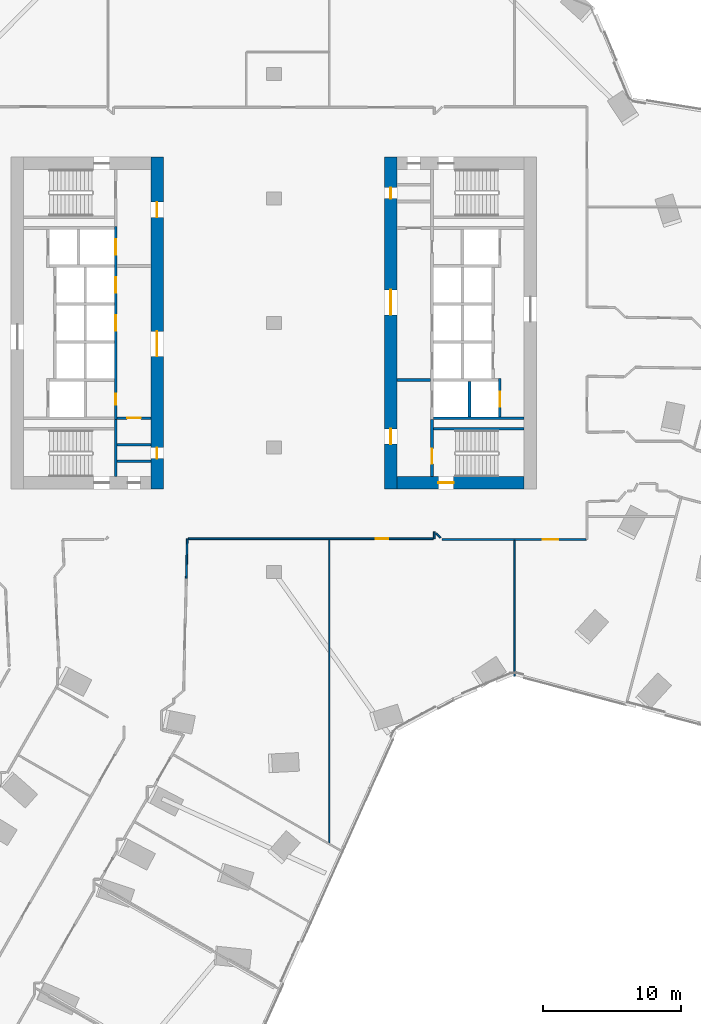
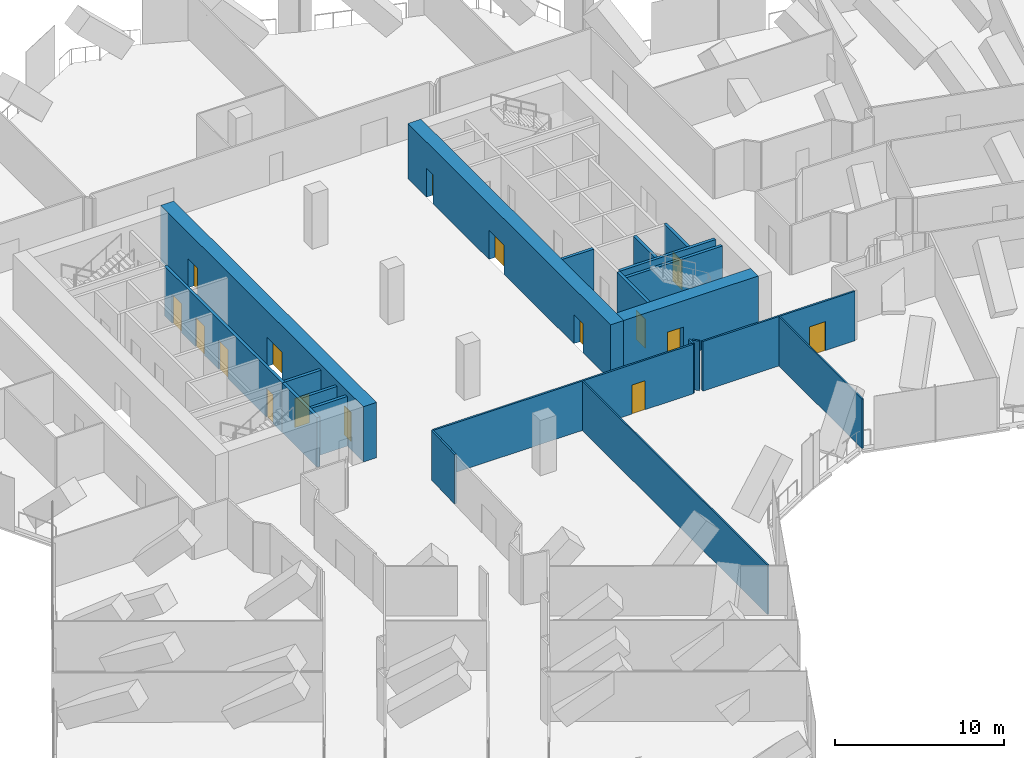
# One storey, part 29 of 37: 21 walls, 16 doors, 16 openings.
"""IFC4 building model written with IfcOpenShell, lengths in metres."""

import ifcopenshell
import ifcopenshell.guid

model = None  # the IFC model being written
_history = None  # IfcOwnerHistory: only IFC2X3 demands one
_inside = {}  # id of a spatial element -> (the spatial element, [elements in it])
_under = {}  # id of a project, library or spatial element -> (it, [spatial elements below it])
_declared = {}  # id of a project -> (the project, [libraries it declares])
_typed = {}  # id of a type object -> (the type object, [elements of that type])
_made_of = {}  # id of a material, layer set ... -> (it, [elements and type objects made of it])


def new_model(schema):
    """Start an empty IFC model of exactly this schema.

    Asked for "IFC4X3", IfcOpenShell would pick the latest addendum, in which some entities
    have other attributes; the version numbers below select the first issue.
    IFC2X3 requires an IfcOwnerHistory on every rooted entity: one is made here for all.
    """
    global model, _history
    if schema == "IFC4X3":
        model = ifcopenshell.file(schema_version=(4, 3, 0, 0))
    else:
        model = ifcopenshell.file(schema=schema)
    _inside.clear()
    _under.clear()
    _declared.clear()
    _typed.clear()
    _made_of.clear()
    _history = None
    if model.schema == "IFC2X3":
        org = make("IfcOrganization", Name="unknown")
        user = make(
            "IfcPersonAndOrganization",
            ThePerson=make("IfcPerson", FamilyName="unknown"),
            TheOrganization=org,
        )
        app = make(
            "IfcApplication",
            ApplicationDeveloper=org,
            Version="unknown",
            ApplicationFullName="unknown",
            ApplicationIdentifier="unknown",
        )
        _history = make(
            "IfcOwnerHistory",
            OwningUser=user,
            OwningApplication=app,
            ChangeAction="ADDED",
            CreationDate=0,
        )
    return model


def make(cls, **values):
    """One entity of the class cls with the attributes given. An attribute that is None is left unset."""
    return model.create_entity(
        cls, **{name: value for name, value in values.items() if value is not None}
    )


def rooted(cls, **values):
    """An entity with a GlobalId (a new one), such as an element, a storey or a relation."""
    return make(cls, GlobalId=ifcopenshell.guid.new(), OwnerHistory=_history, **values)


def si_unit(unit_type, name, prefix=None):
    """IfcSIUnit, for example si_unit("LENGTHUNIT", "METRE", prefix="MILLI")."""
    return make("IfcSIUnit", UnitType=unit_type, Prefix=prefix, Name=name)


def assignment(units):
    """IfcUnitAssignment: the units of a project."""
    return None if units is None else make("IfcUnitAssignment", Units=units)


def point(xyz):
    """IfcCartesianPoint."""
    return None if xyz is None else make("IfcCartesianPoint", Coordinates=xyz)


def direction(xyz):
    """IfcDirection."""
    return None if xyz is None else make("IfcDirection", DirectionRatios=xyz)


def frame(location, z_axis=None, x_axis=None):
    """IfcAxis2Placement3D, a coordinate frame: its origin and axes. An axis left out is left unset."""
    return make(
        "IfcAxis2Placement3D",
        Location=point(location),
        Axis=direction(z_axis),
        RefDirection=direction(x_axis),
    )


def frame_2d(location, x_axis=None):
    """IfcAxis2Placement2D, a coordinate frame in the plane: its origin and x axis."""
    return make(
        "IfcAxis2Placement2D", Location=point(location), RefDirection=direction(x_axis)
    )


def origin():
    """The frame at (0, 0, 0) with its axes left unset."""
    return frame((0.0, 0.0, 0.0))


def place(relative_to, where):
    """IfcLocalPlacement: puts the frame where relative to a parent placement (None: the world)."""
    return make(
        "IfcLocalPlacement", PlacementRelTo=relative_to, RelativePlacement=where
    )


def context(
    kind, dimensions, precision=None, world=None, true_north=None, identifier=None
):
    """IfcGeometricRepresentationContext, for example the 3D "Model" context."""
    return make(
        "IfcGeometricRepresentationContext",
        ContextIdentifier=identifier,
        ContextType=kind,
        CoordinateSpaceDimension=dimensions,
        Precision=precision,
        WorldCoordinateSystem=world,
        TrueNorth=true_north,
    )


def subcontext(parent, identifier, kind, view, scale=None):
    """IfcGeometricRepresentationSubContext, for example "Body" below "Model"."""
    return make(
        "IfcGeometricRepresentationSubContext",
        ContextIdentifier=identifier,
        ContextType=kind,
        ParentContext=parent,
        TargetScale=scale,
        TargetView=view,
    )


def project(units=None, contexts=None):
    """IfcProject with its units and contexts."""
    return rooted(
        "IfcProject",
        Name="project",
        RepresentationContexts=contexts,
        UnitsInContext=assignment(units),
    )


def spatial(cls, under=None, at=None, **own):
    """A site, building, storey or space (cls), placed at a placement, below another one or the project."""
    s = rooted(cls, ObjectPlacement=at, **own)
    if under is not None:
        _under.setdefault(under.id(), (under, []))[1].append(s)
    return s


def profile(cls, at=None, kind="AREA", **sizes):
    """A parametric profile (cls). Its sizes go by their IFC names, for example OverallWidth=200.0."""
    return make(cls, ProfileType=kind, Position=at, **sizes)


def rectangle(**sizes):
    """IfcRectangleProfileDef."""
    return profile("IfcRectangleProfileDef", **sizes)


def extrude(swept, where, along, depth):
    """IfcExtrudedAreaSolid: the profile swept, set in the frame where, extruded along a direction by depth."""
    return make(
        "IfcExtrudedAreaSolid",
        SweptArea=swept,
        Position=where,
        ExtrudedDirection=direction(along),
        Depth=depth,
    )


def shape(context_of_items, identifier, shape_type, items):
    """IfcShapeRepresentation: the items that make up one representation, for example the "Body"."""
    return make(
        "IfcShapeRepresentation",
        ContextOfItems=context_of_items,
        RepresentationIdentifier=identifier,
        RepresentationType=shape_type,
        Items=items,
    )


def material(Name=None, Category=None):
    """IfcMaterial."""
    return make("IfcMaterial", Name=Name, Category=Category)


def layer(
    of_material, thickness, ventilated=None, Name=None, Category=None, Priority=None
):
    """IfcMaterialLayer: one layer of a wall or slab, of a material (None: an air gap)."""
    return make(
        "IfcMaterialLayer",
        Material=of_material,
        LayerThickness=thickness,
        IsVentilated=ventilated,
        Name=Name,
        Category=Category,
        Priority=Priority,
    )


def layer_set(layers, Name=None):
    """IfcMaterialLayerSet."""
    return make("IfcMaterialLayerSet", MaterialLayers=layers, LayerSetName=Name)


def made_of(thing, what):
    """Note that an element or type object is made of a material, layer set ...; save() writes the relation."""
    if what is not None:
        _made_of.setdefault(what.id(), (what, []))[1].append(thing)
    return thing


def type_object(cls, material=None, **own):
    """A type object (cls), such as IfcWallType, which elements share."""
    return made_of(rooted(cls, **own), material)


def element(
    cls,
    number,
    at=None,
    inside=None,
    cuts=None,
    type_object=None,
    material=None,
    context=None,
    identifier="Body",
    shape_type=None,
    held_by="IfcProductDefinitionShape",
    body=None,
    shapes=None,
    **own,
):
    """One element of the class cls, such as IfcWall. Its Tag is "e" and its number.

    at: its placement. inside: the storey or other place that contains it. cuts: it is an
    opening in that element (IfcRelVoidsElement). A single representation is given by context,
    identifier, shape_type and body (its items); several are given by shapes. held_by: the class
    of the entity that holds the representations. save() writes the other relations.
    """
    e = rooted(cls, Tag="e%d" % number, ObjectPlacement=at, **own)
    if body is not None:
        shapes = [shape(context, identifier, shape_type, body)]
    if shapes is not None:
        e.Representation = make(held_by, Representations=shapes)
    if inside is not None:
        _inside.setdefault(inside.id(), (inside, []))[1].append(e)
    if cuts is not None:
        rooted(
            "IfcRelVoidsElement", RelatingBuildingElement=cuts, RelatedOpeningElement=e
        )
    if type_object is not None:
        _typed.setdefault(type_object.id(), (type_object, []))[1].append(e)
    return made_of(e, material)


def fill(opening, filler):
    """IfcRelFillsElement: the door or window that sits in an opening."""
    return rooted(
        "IfcRelFillsElement",
        RelatingOpeningElement=opening,
        RelatedBuildingElement=filler,
    )


def aggregate(whole, parts):
    """IfcRelAggregates: a whole, such as a stair, and the parts it consists of."""
    return rooted("IfcRelAggregates", RelatingObject=whole, RelatedObjects=parts)


def save(model, path):
    """Write the relations noted so far, then the file.

    IfcRelAggregates (storeys below a building ...), IfcRelContainedInSpatialStructure (elements
    in a storey), IfcRelDefinesByType, IfcRelAssociatesMaterial and IfcRelDeclares: one each for
    every whole, place, type object, material and project.
    """
    for whole, parts in _under.values():
        aggregate(whole, parts)
    for where, things in _inside.values():
        rooted(
            "IfcRelContainedInSpatialStructure",
            RelatedElements=things,
            RelatingStructure=where,
        )
    for kind, things in _typed.values():
        rooted("IfcRelDefinesByType", RelatedObjects=things, RelatingType=kind)
    for what, things in _made_of.values():
        rooted("IfcRelAssociatesMaterial", RelatedObjects=things, RelatingMaterial=what)
    for by, libraries in _declared.values():
        rooted("IfcRelDeclares", RelatingContext=by, RelatedDefinitions=libraries)
    model.write(path)


model = new_model("IFC4")

# Units and contexts
model_context = context("Model", 3, precision=1e-05, world=origin(), true_north=direction((0.0, 1.0)))
body_context = subcontext(model_context, "Body", "Model", "MODEL_VIEW")
ifc_project = project(units=[si_unit("LENGTHUNIT", "METRE"), si_unit("AREAUNIT", "SQUARE_METRE"), si_unit("VOLUMEUNIT", "CUBIC_METRE"), si_unit("PLANEANGLEUNIT", "RADIAN"), si_unit("MASSUNIT", "GRAM", prefix="KILO")], contexts=[model_context])

# Site, building, storey
site_placement = place(None, origin())
site = spatial("IfcSite", under=ifc_project, at=site_placement, CompositionType="ELEMENT")
building_placement = place(site_placement, origin())
building = spatial("IfcBuilding", under=site, at=building_placement, Name="Orlundy Tower", CompositionType="ELEMENT")
storey_placement = place(building_placement, frame((0.0, 0.0, 119.699951171875)))
storey = spatial("IfcBuildingStorey", under=building, at=storey_placement, Name="L30", CompositionType="ELEMENT", Elevation=119.699951171875)

# Wall, openings, doors
ifc_material_1 = material(Name="Concrete C80/95", Category="concrete")
ifc_layer_1 = layer(ifc_material_1, 0.89990234375)
ifc_layer_set_1 = layer_set([ifc_layer_1], Name="CORE WALL 900 C80/95")
wall_type_1 = type_object("IfcWallType", Name="CORE WALL 900 C80/95", PredefinedType="SHEAR", material=ifc_layer_set_1)
wall_1_placement = place(storey_placement, frame((-8.449951171875, -12.0, 0.0), z_axis=(0.0, 0.0, 1.0), x_axis=(0.0, 1.0, 0.0)))
wall_1 = element("IfcWall", 1, at=wall_1_placement, inside=storey, type_object=wall_type_1, Name="Core wall W-E L30", PredefinedType="SHEAR", context=body_context, shape_type="SweptSolid", body=[
    extrude(rectangle(XDim=24.0, YDim=0.89990234375, at=frame_2d((12.0, 0.0))), origin(), (0.0, 0.0, 1.0), 4.0),
])
opening_1_placement = place(wall_1_placement, frame((9.60009765625, 0.0, 0.0)))
opening_1 = element("IfcOpeningElement", 2, at=opening_1_placement, cuts=wall_1, Name="Opening 23009", PredefinedType="OPENING", context=body_context, shape_type="SweptSolid", body=[
    extrude(rectangle(XDim=1.800048828125, YDim=2.10009765625, at=frame_2d((0.89990234375, 1.050048828125))), frame((0.0, 0.4599609375, 0.0), z_axis=(0.0, -1.0, 0.0), x_axis=(1.0, 0.0, 0.0)), (0.0, 0.0, 1.0), 0.919921875),
])
opening_2_placement = place(wall_1_placement, frame((19.64990234375, 0.0, 0.0)))
opening_2 = element("IfcOpeningElement", 3, at=opening_2_placement, cuts=wall_1, Name="Opening 23011", PredefinedType="OPENING", context=body_context, shape_type="SweptSolid", body=[
    extrude(rectangle(XDim=1.10009765625, YDim=2.10009765625, at=frame_2d((0.550048828125, 1.050048828125))), frame((0.0, 0.4599609375, 0.0), z_axis=(0.0, -1.0, 0.0), x_axis=(1.0, 0.0, 0.0)), (0.0, 0.0, 1.0), 0.919921875),
])
opening_3_placement = place(wall_1_placement, frame((2.199951171875, 0.0, 0.0)))
opening_3 = element("IfcOpeningElement", 4, at=opening_3_placement, cuts=wall_1, Name="Opening 23016", PredefinedType="OPENING", context=body_context, shape_type="SweptSolid", body=[
    extrude(rectangle(XDim=0.800048828125, YDim=2.10009765625, at=frame_2d((0.39990234375, 1.050048828125))), frame((0.0, 0.4599609375, 0.0), z_axis=(0.0, -1.0, 0.0), x_axis=(1.0, 0.0, 0.0)), (0.0, 0.0, 1.0), 0.919921875),
])
ifc_material_2 = material(Name="Steel door set", Category="steel")
door_type_1 = type_object("IfcDoorType", Name="Fire-fighting Lobby Door 1100x2100", OperationType="SINGLE_SWING_LEFT", PredefinedType="DOOR", material=ifc_material_2)
door_1_placement = place(opening_2_placement, origin())
door_1 = element("IfcDoor", 5, at=door_1_placement, inside=storey, type_object=door_type_1, Name="Fire-fighting lobby door 23011", OperationType="SINGLE_SWING_RIGHT", OverallHeight=2.10009765625, OverallWidth=1.10009765625, PredefinedType="DOOR", context=body_context, shape_type="SweptSolid", body=[
    extrude(rectangle(XDim=1.10009765625, YDim=2.10009765625, at=frame_2d((0.550048828125, 1.050048828125))), frame((0.0, 0.02490234375, 0.0), z_axis=(0.0, -1.0, 0.0), x_axis=(1.0, 0.0, 0.0)), (0.0, 0.0, 1.0), 0.050048828125),
])
fill(opening_2, door_1)
ifc_material_3 = material(Name="Timber door set", Category="wood")
door_type_2 = type_object("IfcDoorType", Name="Lobby Door 1800x2100", OperationType="DOUBLE_DOOR_DOUBLE_SWING", PredefinedType="DOOR", material=ifc_material_3)
door_2_placement = place(opening_1_placement, origin())
door_2 = element("IfcDoor", 6, at=door_2_placement, inside=storey, type_object=door_type_2, Name="Lift lobby door 23009", OperationType="SINGLE_SWING_LEFT", OverallHeight=2.10009765625, OverallWidth=1.800048828125, PredefinedType="DOOR", context=body_context, shape_type="SweptSolid", body=[
    extrude(rectangle(XDim=1.800048828125, YDim=2.10009765625, at=frame_2d((0.89990234375, 1.050048828125))), frame((0.0, 0.02490234375, 0.0), z_axis=(0.0, -1.0, 0.0), x_axis=(1.0, 0.0, 0.0)), (0.0, 0.0, 1.0), 0.050048828125),
])
fill(opening_1, door_2)
ifc_material_4 = material(Name="Timber door set", Category="wood")
door_type_3 = type_object("IfcDoorType", Name="Riser Door 800x2100", OperationType="SINGLE_SWING_LEFT", PredefinedType="DOOR", material=ifc_material_4)
door_3_placement = place(opening_3_placement, origin())
door_3 = element("IfcDoor", 7, at=door_3_placement, inside=storey, type_object=door_type_3, Name="Door 23016", OperationType="SINGLE_SWING_LEFT", OverallHeight=2.10009765625, OverallWidth=0.800048828125, PredefinedType="DOOR", context=body_context, shape_type="SweptSolid", body=[
    extrude(rectangle(XDim=0.800048828125, YDim=2.10009765625, at=frame_2d((0.39990234375, 1.050048828125))), frame((0.0, 0.02490234375, 0.0), z_axis=(0.0, -1.0, 0.0), x_axis=(1.0, 0.0, 0.0)), (0.0, 0.0, 1.0), 0.050048828125),
])
fill(opening_3, door_3)

# Wall, opening, door
wall_2_placement = place(storey_placement, frame((8.89990234375, -11.550048828125, 0.0), z_axis=(0.0, 0.0, 1.0), x_axis=(1.0, 0.0, 0.0)))
wall_2 = element("IfcWall", 8, at=wall_2_placement, inside=storey, type_object=wall_type_1, Name="Core wall E-S L30", PredefinedType="SHEAR", context=body_context, shape_type="SweptSolid", body=[
    extrude(rectangle(XDim=9.2001953125, YDim=0.89990234375, at=frame_2d((4.60009765625, 0.0))), origin(), (0.0, 0.0, 1.0), 4.0),
])
opening_4_placement = place(wall_2_placement, frame((3.0, 0.0, 0.0)))
opening_4 = element("IfcOpeningElement", 9, at=opening_4_placement, cuts=wall_2, Name="Opening 23061", PredefinedType="OPENING", context=body_context, shape_type="SweptSolid", body=[
    extrude(rectangle(XDim=1.10009765625, YDim=2.10009765625, at=frame_2d((0.550048828125, 1.050048828125))), frame((0.0, 0.4599609375, 0.0), z_axis=(0.0, -1.0, 0.0), x_axis=(1.0, 0.0, 0.0)), (0.0, 0.0, 1.0), 0.919921875),
])
ifc_material_5 = material(Name="Steel door set", Category="steel")
door_type_4 = type_object("IfcDoorType", Name="Stair Door 1100x2100", OperationType="SINGLE_SWING_LEFT", PredefinedType="DOOR", material=ifc_material_5)
door_4_placement = place(opening_4_placement, origin())
door_4 = element("IfcDoor", 10, at=door_4_placement, inside=storey, type_object=door_type_4, Name="Stair door 23061", OperationType="SINGLE_SWING_LEFT", OverallHeight=2.10009765625, OverallWidth=1.10009765625, PredefinedType="DOOR", context=body_context, shape_type="SweptSolid", body=[
    extrude(rectangle(XDim=1.10009765625, YDim=2.10009765625, at=frame_2d((0.550048828125, 1.050048828125))), frame((0.0, 0.02490234375, 0.0), z_axis=(0.0, -1.0, 0.0), x_axis=(1.0, 0.0, 0.0)), (0.0, 0.0, 1.0), 0.050048828125),
])
fill(opening_4, door_4)

# Wall, openings, doors
wall_3_placement = place(storey_placement, frame((8.449951171875, -12.0, 0.0), z_axis=(0.0, 0.0, 1.0), x_axis=(0.0, 1.0, 0.0)))
wall_3 = element("IfcWall", 11, at=wall_3_placement, inside=storey, type_object=wall_type_1, Name="Core wall E-W L30", PredefinedType="SHEAR", context=body_context, shape_type="SweptSolid", body=[
    extrude(rectangle(XDim=24.0, YDim=0.89990234375, at=frame_2d((12.0, 0.0))), origin(), (0.0, 0.0, 1.0), 4.0),
])
opening_5_placement = place(wall_3_placement, frame((12.60009765625, 0.0, 0.0)))
opening_5 = element("IfcOpeningElement", 12, at=opening_5_placement, cuts=wall_3, Name="Opening 23058", PredefinedType="OPENING", context=body_context, shape_type="SweptSolid", body=[
    extrude(rectangle(XDim=1.800048828125, YDim=2.10009765625, at=frame_2d((0.89990234375, 1.050048828125))), frame((0.0, 0.4599609375, 0.0), z_axis=(0.0, -1.0, 0.0), x_axis=(1.0, 0.0, 0.0)), (0.0, 0.0, 1.0), 0.919921875),
])
opening_6_placement = place(wall_3_placement, frame((3.25, 0.0, 0.0)))
opening_6 = element("IfcOpeningElement", 13, at=opening_6_placement, cuts=wall_3, Name="Opening 23060", PredefinedType="OPENING", context=body_context, shape_type="SweptSolid", body=[
    extrude(rectangle(XDim=1.10009765625, YDim=2.10009765625, at=frame_2d((0.550048828125, 1.050048828125))), frame((0.0, 0.4599609375, 0.0), z_axis=(0.0, -1.0, 0.0), x_axis=(1.0, 0.0, 0.0)), (0.0, 0.0, 1.0), 0.919921875),
])
opening_7_placement = place(wall_3_placement, frame((21.0, 0.0, 0.0)))
opening_7 = element("IfcOpeningElement", 14, at=opening_7_placement, cuts=wall_3, Name="Opening 23065", PredefinedType="OPENING", context=body_context, shape_type="SweptSolid", body=[
    extrude(rectangle(XDim=0.800048828125, YDim=2.10009765625, at=frame_2d((0.39990234375, 1.050048828125))), frame((0.0, 0.4599609375, 0.0), z_axis=(0.0, -1.0, 0.0), x_axis=(1.0, 0.0, 0.0)), (0.0, 0.0, 1.0), 0.919921875),
])
door_5_placement = place(opening_6_placement, origin())
door_5 = element("IfcDoor", 15, at=door_5_placement, inside=storey, type_object=door_type_1, Name="Fire-fighting lobby door 23060", OperationType="SINGLE_SWING_LEFT", OverallHeight=2.10009765625, OverallWidth=1.10009765625, PredefinedType="DOOR", context=body_context, shape_type="SweptSolid", body=[
    extrude(rectangle(XDim=1.10009765625, YDim=2.10009765625, at=frame_2d((0.550048828125, 1.050048828125))), frame((0.0, 0.02490234375, 0.0), z_axis=(0.0, -1.0, 0.0), x_axis=(1.0, 0.0, 0.0)), (0.0, 0.0, 1.0), 0.050048828125),
])
fill(opening_6, door_5)
door_6_placement = place(opening_5_placement, origin())
door_6 = element("IfcDoor", 16, at=door_6_placement, inside=storey, type_object=door_type_2, Name="Lift lobby door 23058", OperationType="SINGLE_SWING_RIGHT", OverallHeight=2.10009765625, OverallWidth=1.800048828125, PredefinedType="DOOR", context=body_context, shape_type="SweptSolid", body=[
    extrude(rectangle(XDim=1.800048828125, YDim=2.10009765625, at=frame_2d((0.89990234375, 1.050048828125))), frame((0.0, 0.02490234375, 0.0), z_axis=(0.0, -1.0, 0.0), x_axis=(1.0, 0.0, 0.0)), (0.0, 0.0, 1.0), 0.050048828125),
])
fill(opening_5, door_6)
door_7_placement = place(opening_7_placement, origin())
door_7 = element("IfcDoor", 17, at=door_7_placement, inside=storey, type_object=door_type_3, Name="Door 23065", OperationType="SINGLE_SWING_RIGHT", OverallHeight=2.10009765625, OverallWidth=0.800048828125, PredefinedType="DOOR", context=body_context, shape_type="SweptSolid", body=[
    extrude(rectangle(XDim=0.800048828125, YDim=2.10009765625, at=frame_2d((0.39990234375, 1.050048828125))), frame((0.0, 0.02490234375, 0.0), z_axis=(0.0, -1.0, 0.0), x_axis=(1.0, 0.0, 0.0)), (0.0, 0.0, 1.0), 0.050048828125),
])
fill(opening_7, door_7)

# Walls
ifc_material_6 = material(Name="Gypsum board partition")
ifc_layer_2 = layer(ifc_material_6, 0.10009765625)
ifc_layer_set_2 = layer_set([ifc_layer_2], Name="Floor partition 100")
wall_type_2 = type_object("IfcWallType", Name="Floor partition 100", PredefinedType="PARTITIONING", material=ifc_layer_set_2)
wall_4_placement = place(storey_placement, frame((17.405029296875, -25.556884765625, 0.0), z_axis=(0.0, 0.0, 1.0), x_axis=(0.0, 1.0, 0.0)))
element("IfcWall", 18, at=wall_4_placement, inside=storey, type_object=wall_type_2, Name="wall-int-L30-119", PredefinedType="PARTITIONING", context=body_context, shape_type="SweptSolid", body=[
    extrude(rectangle(XDim=9.843994140625, YDim=0.10009765625, at=frame_2d((4.921875, 0.0))), origin(), (0.0, 0.0, 1.0), 3.580078125),
])
wall_5_placement = place(storey_placement, frame((4.0, -37.590087890625, 0.0), z_axis=(0.0, 0.0, 1.0), x_axis=(0.0, 1.0, 0.0)))
element("IfcWall", 19, at=wall_5_placement, inside=storey, type_object=wall_type_2, Name="wall-int-L30-123", PredefinedType="PARTITIONING", context=body_context, shape_type="SweptSolid", body=[
    extrude(rectangle(XDim=21.927978515625, YDim=0.10009765625, at=frame_2d((10.9638671875, 0.0))), origin(), (0.0, 0.0, 1.0), 3.580078125),
])
ifc_material_7 = material(Name="Gypsum board partition, double layer")
ifc_layer_3 = layer(ifc_material_7, 0.125)
ifc_layer_set_3 = layer_set([ifc_layer_3], Name="Floor partition 125")
wall_type_3 = type_object("IfcWallType", Name="Floor partition 125", PredefinedType="PARTITIONING", material=ifc_layer_set_3)
wall_6_placement = place(storey_placement, frame((11.72900390625, -15.20703125, 0.0), z_axis=(0.0, 0.0, 1.0), x_axis=(0.707106781187, -0.707106781187, 0.0)))
element("IfcWall", 20, at=wall_6_placement, inside=storey, type_object=wall_type_3, Name="wall-int-L30-009", PredefinedType="PARTITIONING", context=body_context, shape_type="SweptSolid", body=[
    extrude(rectangle(XDim=0.4482421875, YDim=0.125, at=frame_2d((0.22412109375, 0.0))), origin(), (0.0, 0.0, 1.0), 3.580078125),
])

# Wall, opening, door
wall_7_placement = place(storey_placement, frame((22.574951171875, -15.65087890625, 0.0), z_axis=(0.0, 0.0, 1.0), x_axis=(-1.0, 0.0, 0.0)))
wall_7 = element("IfcWall", 21, at=wall_7_placement, inside=storey, type_object=wall_type_3, Name="wall-int-L30-054", PredefinedType="PARTITIONING", context=body_context, shape_type="SweptSolid", body=[
    extrude(rectangle(XDim=10.4150390625, YDim=0.125, at=frame_2d((5.20751953125, 0.0))), origin(), (0.0, 0.0, 1.0), 3.580078125),
])
opening_8_placement = place(wall_7_placement, frame((2.02490234375, 0.0, 0.0)))
opening_8 = element("IfcOpeningElement", 22, at=opening_8_placement, cuts=wall_7, Name="Opening 23125", PredefinedType="OPENING", context=body_context, shape_type="SweptSolid", body=[
    extrude(rectangle(XDim=1.10009765625, YDim=2.10009765625, at=frame_2d((0.550048828125, 1.050048828125))), frame((0.0, 0.072509765625, 0.0), z_axis=(0.0, -1.0, 0.0), x_axis=(1.0, 0.0, 0.0)), (0.0, 0.0, 1.0), 0.14501953125),
])
ifc_material_8 = material(Name="Timber door leaf", Category="wood")
door_type_5 = type_object("IfcDoorType", Name="Floor door xwide 1100 FD30S", OperationType="NOTDEFINED", PredefinedType="DOOR", material=ifc_material_8)
door_8_placement = place(opening_8_placement, origin())
door_8 = element("IfcDoor", 23, at=door_8_placement, inside=storey, type_object=door_type_5, Name="Door 23125", OperationType="SINGLE_SWING_LEFT", OverallHeight=2.10009765625, OverallWidth=1.10009765625, PredefinedType="DOOR", context=body_context, shape_type="SweptSolid", body=[
    extrude(rectangle(XDim=1.10009765625, YDim=2.10009765625, at=frame_2d((0.550048828125, 1.050048828125))), frame((0.0, 0.02490234375, 0.0), z_axis=(0.0, -1.0, 0.0), x_axis=(1.0, 0.0, 0.0)), (0.0, 0.0, 1.0), 0.050048828125),
])
fill(opening_8, door_8)

wall_8_placement = place(storey_placement, frame((11.5390625, -15.60009765625, 0.0), z_axis=(0.0, 0.0, 1.0), x_axis=(-1.0, 0.0, 0.0)))
wall_8 = element("IfcWall", 24, at=wall_8_placement, inside=storey, type_object=wall_type_3, Name="wall-int-L30-055", PredefinedType="PARTITIONING", context=body_context, shape_type="SweptSolid", body=[
    extrude(rectangle(XDim=17.744140625, YDim=0.125, at=frame_2d((8.8720703125, 0.0))), origin(), (0.0, 0.0, 1.0), 3.580078125),
])
opening_9_placement = place(wall_8_placement, frame((3.28759765625, 0.0, 0.0)))
opening_9 = element("IfcOpeningElement", 25, at=opening_9_placement, cuts=wall_8, Name="Opening 23124", PredefinedType="OPENING", context=body_context, shape_type="SweptSolid", body=[
    extrude(rectangle(XDim=0.89990234375, YDim=2.10009765625, at=frame_2d((0.449951171875, 1.050048828125))), frame((0.0, 0.072509765625, 0.0), z_axis=(0.0, -1.0, 0.0), x_axis=(1.0, 0.0, 0.0)), (0.0, 0.0, 1.0), 0.14501953125),
])
ifc_material_9 = material(Name="Timber door leaf", Category="wood")
door_type_6 = type_object("IfcDoorType", Name="Floor door single 900 FD30S", OperationType="NOTDEFINED", PredefinedType="DOOR", material=ifc_material_9)
door_9_placement = place(opening_9_placement, origin())
door_9 = element("IfcDoor", 26, at=door_9_placement, inside=storey, type_object=door_type_6, Name="Door 23124", OperationType="SINGLE_SWING_LEFT", OverallHeight=2.10009765625, OverallWidth=0.89990234375, PredefinedType="DOOR", context=body_context, shape_type="SweptSolid", body=[
    extrude(rectangle(XDim=0.89990234375, YDim=2.10009765625, at=frame_2d((0.449951171875, 1.050048828125))), frame((0.0, 0.02490234375, 0.0), z_axis=(0.0, -1.0, 0.0), x_axis=(1.0, 0.0, 0.0)), (0.0, 0.0, 1.0), 0.050048828125),
])
fill(opening_9, door_9)

# Walls
wall_9_placement = place(storey_placement, frame((-6.3349609375, -18.4580078125, 0.0), z_axis=(0.0, 0.0, 1.0), x_axis=(0.023400390527, 0.999726173371, 0.0)))
element("IfcWall", 27, at=wall_9_placement, inside=storey, type_object=wall_type_3, Name="wall-int-L30-108", PredefinedType="PARTITIONING", context=body_context, shape_type="SweptSolid", body=[
    extrude(rectangle(XDim=2.858642578125, YDim=0.125, at=frame_2d((1.42919921875, 0.0))), origin(), (0.0, 0.0, 1.0), 3.580078125),
])
wall_10_placement = place(storey_placement, frame((11.60107421875, -15.60009765625, 0.0), z_axis=(0.0, 0.0, 1.0), x_axis=(0.0, 1.0, 0.0)))
element("IfcWall", 28, at=wall_10_placement, inside=storey, type_object=wall_type_3, Name="wall-int-L30-121", PredefinedType="PARTITIONING", context=body_context, shape_type="SweptSolid", body=[
    extrude(rectangle(XDim=0.508056640625, YDim=0.125, at=frame_2d((0.25390625, 0.0))), origin(), (0.0, 0.0, 1.0), 3.580078125),
])
ifc_material_10 = material(Name="Concrete C40/50", Category="concrete")
ifc_layer_4 = layer(ifc_material_10, 0.199951171875)
ifc_layer_set_4 = layer_set([ifc_layer_4], Name="Load-bearing Shaft Wall 200")
wall_type_4 = type_object("IfcWallType", Name="Load-bearing Shaft Wall 200", PredefinedType="SOLIDWALL", material=ifc_layer_set_4)
wall_11_placement = place(storey_placement, frame((-11.43994140625, -11.10009765625, 0.0), z_axis=(0.0, 0.0, 1.0), x_axis=(0.0, 1.0, 0.0)))
element("IfcWall", 29, at=wall_11_placement, inside=storey, type_object=wall_type_4, Name="Shaft wall W23-stair-end-s", PredefinedType="SOLIDWALL", context=body_context, shape_type="SweptSolid", body=[
    extrude(rectangle(XDim=4.125, YDim=0.199951171875, at=frame_2d((2.0625, 0.0))), origin(), (0.0, 0.0, 1.0), 3.590087890625),
])

# Wall, opening, door
wall_12_placement = place(storey_placement, frame((11.43994140625, -6.97509765625, 0.0), z_axis=(0.0, 0.0, 1.0), x_axis=(0.0, -1.0, 0.0)))
wall_12 = element("IfcWall", 30, at=wall_12_placement, inside=storey, type_object=wall_type_4, Name="Shaft wall E23-stair-end-n", PredefinedType="SOLIDWALL", context=body_context, shape_type="SweptSolid", body=[
    extrude(rectangle(XDim=4.125, YDim=0.199951171875, at=frame_2d((2.0625, 0.0))), origin(), (0.0, 0.0, 1.0), 3.590087890625),
])
opening_10_placement = place(wall_12_placement, frame((2.10009765625, 0.0, 0.0)))
opening_10 = element("IfcOpeningElement", 31, at=opening_10_placement, cuts=wall_12, Name="Opening 23063", PredefinedType="OPENING", context=body_context, shape_type="SweptSolid", body=[
    extrude(rectangle(XDim=1.10009765625, YDim=2.10009765625, at=frame_2d((0.550048828125, 1.050048828125))), frame((0.0, 0.110107421875, 0.0), z_axis=(0.0, -1.0, 0.0), x_axis=(1.0, 0.0, 0.0)), (0.0, 0.0, 1.0), 0.22021484375),
])
door_10_placement = place(opening_10_placement, origin())
door_10 = element("IfcDoor", 32, at=door_10_placement, inside=storey, type_object=door_type_1, Name="Fire-fighting lobby to stair door 23063", OperationType="SINGLE_SWING_RIGHT", OverallHeight=2.10009765625, OverallWidth=1.10009765625, PredefinedType="DOOR", context=body_context, shape_type="SweptSolid", body=[
    extrude(rectangle(XDim=1.10009765625, YDim=2.10009765625, at=frame_2d((0.550048828125, 1.050048828125))), frame((0.0, 0.02490234375, 0.0), z_axis=(0.0, -1.0, 0.0), x_axis=(1.0, 0.0, 0.0)), (0.0, 0.0, 1.0), 0.050048828125),
])
fill(opening_10, door_10)

# Wall
wall_13_placement = place(storey_placement, frame((11.5400390625, -7.64990234375, 0.0), z_axis=(0.0, 0.0, 1.0), x_axis=(1.0, 0.0, 0.0)))
element("IfcWall", 33, at=wall_13_placement, inside=storey, type_object=wall_type_4, Name="Shaft wall E23-stair-side-n", PredefinedType="SOLIDWALL", context=body_context, shape_type="SweptSolid", body=[
    extrude(rectangle(XDim=6.56005859375, YDim=0.199951171875, at=frame_2d((3.280029296875, 0.0))), origin(), (0.0, 0.0, 1.0), 3.590087890625),
])

# Wall, opening, door
ifc_material_11 = material(Name="Gypsum board partition on steel studs", Category="steel")
ifc_layer_5 = layer(ifc_material_11, 0.199951171875)
ifc_layer_set_5 = layer_set([ifc_layer_5], Name="Partition 200")
wall_type_5 = type_object("IfcWallType", Name="Partition 200", PredefinedType="PARTITIONING", material=ifc_layer_set_5)
wall_14_placement = place(storey_placement, frame((-8.89990234375, -6.875, 0.0), z_axis=(0.0, 0.0, 1.0), x_axis=(-1.0, 0.0, 0.0)))
wall_14 = element("IfcWall", 34, at=wall_14_placement, inside=storey, type_object=wall_type_5, Name="Partition wall W23-end-s", PredefinedType="PARTITIONING", context=body_context, shape_type="SweptSolid", body=[
    extrude(rectangle(XDim=2.440185546875, YDim=0.199951171875, at=frame_2d((1.22021484375, 0.0))), origin(), (0.0, 0.0, 1.0), 3.590087890625),
])
opening_11_placement = place(wall_14_placement, frame((0.719970703125, 0.0, 0.0)))
opening_11 = element("IfcOpeningElement", 35, at=opening_11_placement, cuts=wall_14, Name="Opening 23017", PredefinedType="OPENING", context=body_context, shape_type="SweptSolid", body=[
    extrude(rectangle(XDim=1.0, YDim=2.10009765625, at=frame_2d((0.5, 1.050048828125))), frame((0.0, 0.110107421875, 0.0), z_axis=(0.0, -1.0, 0.0), x_axis=(1.0, 0.0, 0.0)), (0.0, 0.0, 1.0), 0.22021484375),
])
ifc_material_12 = material(Name="Timber door set", Category="wood")
door_type_7 = type_object("IfcDoorType", Name="Accessible Door 1000x2100", OperationType="SINGLE_SWING_LEFT", PredefinedType="DOOR", material=ifc_material_12)
door_11_placement = place(opening_11_placement, origin())
door_11 = element("IfcDoor", 36, at=door_11_placement, inside=storey, type_object=door_type_7, Name="Accessible WC door 23017", OperationType="SINGLE_SWING_RIGHT", OverallHeight=2.10009765625, OverallWidth=1.0, PredefinedType="DOOR", context=body_context, shape_type="SweptSolid", body=[
    extrude(rectangle(XDim=1.0, YDim=2.10009765625, at=frame_2d((0.5, 1.050048828125))), frame((0.0, 0.02490234375, 0.0), z_axis=(0.0, -1.0, 0.0), x_axis=(1.0, 0.0, 0.0)), (0.0, 0.0, 1.0), 0.050048828125),
])
fill(opening_11, door_11)

# Walls
for number, where, z_axis, x_axis, name in (
    (37, (-8.89990234375, -10.0, 0.0), (0.0, 0.0, 1.0), (-1.0, 0.0, 0.0), "Partition wall W23-room-s0"),
    (38, (-8.89990234375, -8.800048828125, 0.0), (0.0, 0.0, 1.0), (-1.0, 0.0, 0.0), "Partition wall W23-room-s1"),
    (39, (8.89990234375, -4.125, 0.0), (0.0, 0.0, 1.0), (1.0, 0.0, 0.0), "Partition wall E23-lobby-n"),
):
    element("IfcWall", number, at=place(storey_placement, frame(where, z_axis=z_axis, x_axis=x_axis)), inside=storey, type_object=wall_type_5, Name=name, PredefinedType="PARTITIONING", context=body_context, shape_type="SweptSolid", body=[
        extrude(rectangle(XDim=2.440185546875, YDim=0.199951171875, at=frame_2d((1.22021484375, 0.0))), origin(), (0.0, 0.0, 1.0), 3.590087890625),
    ])

# Wall, openings, doors
ifc_material_13 = material(Name="Fire-rated blockwork shaft wall", Category="masonry")
ifc_layer_6 = layer(ifc_material_13, 0.199951171875)
ifc_layer_set_6 = layer_set([ifc_layer_6], Name="Shaft Wall 200")
wall_type_6 = type_object("IfcWallType", Name="Shaft Wall 200", PredefinedType="SOLIDWALL", material=ifc_layer_set_6)
wall_15_placement = place(storey_placement, frame((-11.43994140625, -6.97509765625, 0.0), z_axis=(0.0, 0.0, 1.0), x_axis=(0.0, 1.0, 0.0)))
wall_15 = element("IfcWall", 40, at=wall_15_placement, inside=storey, type_object=wall_type_6, Name="Shaft wall W23-front-h", PredefinedType="SOLIDWALL", context=body_context, shape_type="SweptSolid", body=[
    extrude(rectangle(XDim=13.9501953125, YDim=0.199951171875, at=frame_2d((6.97509765625, 0.0))), origin(), (0.0, 0.0, 1.0), 3.590087890625),
])
opening_12_placement = place(wall_15_placement, frame((6.425048828125, 0.0, 0.0)))
opening_12 = element("IfcOpeningElement", 41, at=opening_12_placement, cuts=wall_15, Name="Opening 23002", PredefinedType="OPENING", context=body_context, shape_type="SweptSolid", body=[
    extrude(rectangle(XDim=1.10009765625, YDim=2.10009765625, at=frame_2d((0.550048828125, 1.050048828125))), frame((0.0, 0.110107421875, 0.0), z_axis=(0.0, -1.0, 0.0), x_axis=(1.0, 0.0, 0.0)), (0.0, 0.0, 1.0), 0.22021484375),
])
opening_13_placement = place(wall_15_placement, frame((9.175048828125, 0.0, 0.0)))
opening_13 = element("IfcOpeningElement", 42, at=opening_13_placement, cuts=wall_15, Name="Opening 23004", PredefinedType="OPENING", context=body_context, shape_type="SweptSolid", body=[
    extrude(rectangle(XDim=1.10009765625, YDim=2.10009765625, at=frame_2d((0.550048828125, 1.050048828125))), frame((0.0, 0.110107421875, 0.0), z_axis=(0.0, -1.0, 0.0), x_axis=(1.0, 0.0, 0.0)), (0.0, 0.0, 1.0), 0.22021484375),
])
opening_14_placement = place(wall_15_placement, frame((11.925048828125, 0.0, 0.0)))
opening_14 = element("IfcOpeningElement", 43, at=opening_14_placement, cuts=wall_15, Name="Opening 23006", PredefinedType="OPENING", context=body_context, shape_type="SweptSolid", body=[
    extrude(rectangle(XDim=1.10009765625, YDim=2.10009765625, at=frame_2d((0.550048828125, 1.050048828125))), frame((0.0, 0.110107421875, 0.0), z_axis=(0.0, -1.0, 0.0), x_axis=(1.0, 0.0, 0.0)), (0.0, 0.0, 1.0), 0.22021484375),
])
opening_15_placement = place(wall_15_placement, frame((1.074951171875, 0.0, 0.0)))
opening_15 = element("IfcOpeningElement", 44, at=opening_15_placement, cuts=wall_15, Name="Opening 23008", PredefinedType="OPENING", context=body_context, shape_type="SweptSolid", body=[
    extrude(rectangle(XDim=0.800048828125, YDim=2.10009765625, at=frame_2d((0.39990234375, 1.050048828125))), frame((0.0, 0.110107421875, 0.0), z_axis=(0.0, -1.0, 0.0), x_axis=(1.0, 0.0, 0.0)), (0.0, 0.0, 1.0), 0.22021484375),
])
ifc_material_14 = material(Name="Steel door set", Category="steel")
door_type_8 = type_object("IfcDoorType", Name="Landing Door 1100x2100", OperationType="DOUBLE_DOOR_SLIDING", PredefinedType="DOOR", material=ifc_material_14)
door_12_placement = place(opening_12_placement, origin())
door_12 = element("IfcDoor", 45, at=door_12_placement, inside=storey, type_object=door_type_8, Name="Lift landing door LP-05 23002", OperationType="DOUBLE_DOOR_SLIDING", OverallHeight=2.10009765625, OverallWidth=1.10009765625, PredefinedType="DOOR", context=body_context, shape_type="SweptSolid", body=[
    extrude(rectangle(XDim=1.10009765625, YDim=2.10009765625, at=frame_2d((0.550048828125, 1.050048828125))), frame((0.0, 0.02490234375, 0.0), z_axis=(0.0, -1.0, 0.0), x_axis=(1.0, 0.0, 0.0)), (0.0, 0.0, 1.0), 0.050048828125),
])
fill(opening_12, door_12)
door_13_placement = place(opening_13_placement, origin())
door_13 = element("IfcDoor", 46, at=door_13_placement, inside=storey, type_object=door_type_8, Name="Lift landing door LP-02 23004", OperationType="DOUBLE_DOOR_SLIDING", OverallHeight=2.10009765625, OverallWidth=1.10009765625, PredefinedType="DOOR", context=body_context, shape_type="SweptSolid", body=[
    extrude(rectangle(XDim=1.10009765625, YDim=2.10009765625, at=frame_2d((0.550048828125, 1.050048828125))), frame((0.0, 0.02490234375, 0.0), z_axis=(0.0, -1.0, 0.0), x_axis=(1.0, 0.0, 0.0)), (0.0, 0.0, 1.0), 0.050048828125),
])
fill(opening_13, door_13)
door_14_placement = place(opening_14_placement, origin())
door_14 = element("IfcDoor", 47, at=door_14_placement, inside=storey, type_object=door_type_8, Name="Lift landing door FL1 23006", OperationType="DOUBLE_DOOR_SLIDING", OverallHeight=2.10009765625, OverallWidth=1.10009765625, PredefinedType="DOOR", context=body_context, shape_type="SweptSolid", body=[
    extrude(rectangle(XDim=1.10009765625, YDim=2.10009765625, at=frame_2d((0.550048828125, 1.050048828125))), frame((0.0, 0.02490234375, 0.0), z_axis=(0.0, -1.0, 0.0), x_axis=(1.0, 0.0, 0.0)), (0.0, 0.0, 1.0), 0.050048828125),
])
fill(opening_14, door_14)
door_15_placement = place(opening_15_placement, origin())
door_15 = element("IfcDoor", 48, at=door_15_placement, inside=storey, type_object=door_type_3, Name="Telecom Room door 23008", OperationType="SINGLE_SWING_LEFT", OverallHeight=2.10009765625, OverallWidth=0.800048828125, PredefinedType="DOOR", context=body_context, shape_type="SweptSolid", body=[
    extrude(rectangle(XDim=0.800048828125, YDim=2.10009765625, at=frame_2d((0.39990234375, 1.050048828125))), frame((0.0, 0.02490234375, 0.0), z_axis=(0.0, -1.0, 0.0), x_axis=(1.0, 0.0, 0.0)), (0.0, 0.0, 1.0), 0.050048828125),
])
fill(opening_15, door_15)

# Walls
wall_16_placement = place(storey_placement, frame((11.5400390625, -6.875, 0.0), z_axis=(0.0, 0.0, 1.0), x_axis=(1.0, 0.0, 0.0)))
element("IfcWall", 49, at=wall_16_placement, inside=storey, type_object=wall_type_6, Name="Shaft wall E23-zone-n", PredefinedType="SOLIDWALL", context=body_context, shape_type="SweptSolid", body=[
    extrude(rectangle(XDim=6.56005859375, YDim=0.199951171875, at=frame_2d((3.280029296875, 0.0))), origin(), (0.0, 0.0, 1.0), 3.590087890625),
])
wall_17_placement = place(storey_placement, frame((14.139892578125, -4.22509765625, 0.0), z_axis=(0.0, 0.0, 1.0), x_axis=(0.0, -1.0, 0.0)))
element("IfcWall", 50, at=wall_17_placement, inside=storey, type_object=wall_type_6, Name="Shaft wall E23-mid-b", PredefinedType="SOLIDWALL", context=body_context, shape_type="SweptSolid", body=[
    extrude(rectangle(XDim=2.5498046875, YDim=0.199951171875, at=frame_2d((1.27490234375, 0.0))), origin(), (0.0, 0.0, 1.0), 3.590087890625),
])

# Wall, opening, door
wall_18_placement = place(storey_placement, frame((16.340087890625, -4.02490234375, 0.0), z_axis=(0.0, 0.0, 1.0), x_axis=(0.0, -1.0, 0.0)))
wall_18 = element("IfcWall", 51, at=wall_18_placement, inside=storey, type_object=wall_type_6, Name="Shaft wall E23-front-o-c", PredefinedType="SOLIDWALL", context=body_context, shape_type="SweptSolid", body=[
    extrude(rectangle(XDim=2.75, YDim=0.199951171875, at=frame_2d((1.375, 0.0))), origin(), (0.0, 0.0, 1.0), 3.590087890625),
])
opening_16_placement = place(wall_18_placement, frame((0.925048828125, 0.0, 0.0)))
opening_16 = element("IfcOpeningElement", 52, at=opening_16_placement, cuts=wall_18, Name="Opening 23056", PredefinedType="OPENING", context=body_context, shape_type="SweptSolid", body=[
    extrude(rectangle(XDim=1.10009765625, YDim=2.10009765625, at=frame_2d((0.550048828125, 1.050048828125))), frame((0.0, 0.110107421875, 0.0), z_axis=(0.0, -1.0, 0.0), x_axis=(1.0, 0.0, 0.0)), (0.0, 0.0, 1.0), 0.22021484375),
])
door_16_placement = place(opening_16_placement, origin())
door_16 = element("IfcDoor", 53, at=door_16_placement, inside=storey, type_object=door_type_8, Name="Lift landing door LP-09 23056", OperationType="DOUBLE_DOOR_SLIDING", OverallHeight=2.10009765625, OverallWidth=1.10009765625, PredefinedType="DOOR", context=body_context, shape_type="SweptSolid", body=[
    extrude(rectangle(XDim=1.10009765625, YDim=2.10009765625, at=frame_2d((0.550048828125, 1.050048828125))), frame((0.0, 0.02490234375, 0.0), z_axis=(0.0, -1.0, 0.0), x_axis=(1.0, 0.0, 0.0)), (0.0, 0.0, 1.0), 0.050048828125),
])
fill(opening_16, door_16)

save(model, "model.ifc")
